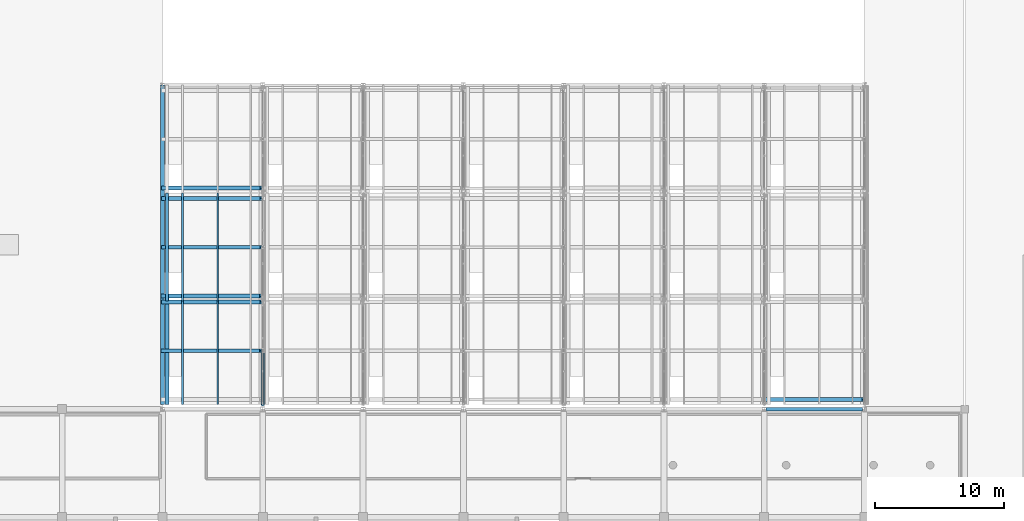
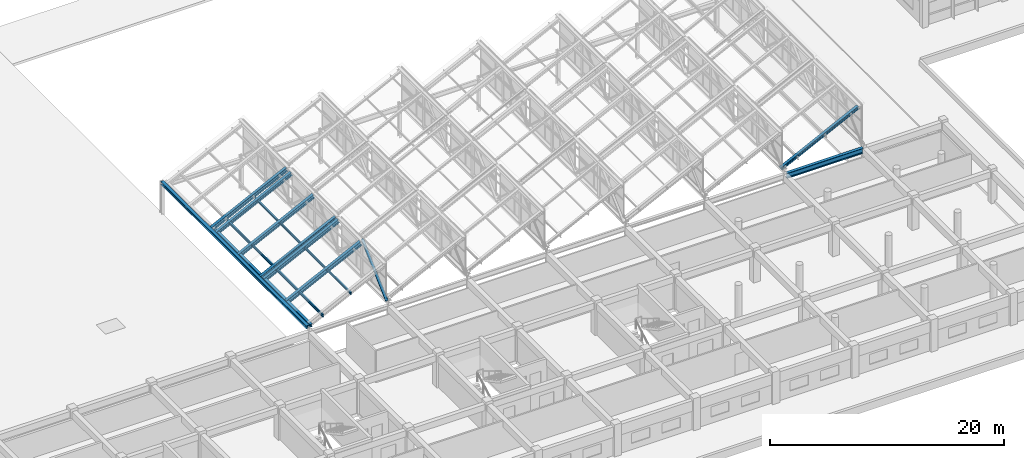
# One storey, part 15 of 101: 15 members, 1 beam.
"""IFC4 building model written with IfcOpenShell, lengths in metres."""

from ifc_helpers import new_model, si_unit, direction, frame, origin, origin_2d, place, context, subcontext, project, spatial, hollow_circle, i_section, extrude, material, material_profile, profile_set, type_object, element, save


model = new_model("IFC4")

# Units and contexts
model_context = context("Model", 3, precision=1e-05, world=origin(), true_north=direction((0.0, 1.0)))
body_context = subcontext(model_context, "Body", "Model", "MODEL_VIEW")
ifc_project = project(units=[si_unit("LENGTHUNIT", "METRE"), si_unit("AREAUNIT", "SQUARE_METRE"), si_unit("VOLUMEUNIT", "CUBIC_METRE"), si_unit("PLANEANGLEUNIT", "RADIAN"), si_unit("MASSUNIT", "GRAM", prefix="KILO")], contexts=[model_context])

# Site, building, storey
site_placement = place(None, origin())
site = spatial("IfcSite", under=ifc_project, at=site_placement, CompositionType="ELEMENT")
building_placement = place(site_placement, origin())
building = spatial("IfcBuilding", under=site, at=building_placement, Name="Zizhar Promenade General Hospital", CompositionType="ELEMENT")
storey_placement = place(building_placement, frame((0.0, 0.0, 14.39990234375)))
storey = spatial("IfcBuildingStorey", under=building, at=storey_placement, Name="L03", CompositionType="ELEMENT", Elevation=14.39990234375)

# Beam
ifc_material_1 = material(Name="Steel S355", Category="steel")
ifc_material_profile_1 = material_profile(ifc_material_1, i_section(OverallWidth=0.300048828125, OverallDepth=0.550048828125, WebThickness=0.014892578125, FlangeThickness=0.029052734375, FilletRadius=0.027099609375, at=origin_2d()))
ifc_profile_set_1 = profile_set([ifc_material_profile_1], Name="Steel S355")
beam_type = type_object("IfcBeamType", Name="BM-STL-HEB550", PredefinedType="BEAM", material=ifc_profile_set_1)
beam_placement = place(storey_placement, frame((117.14990234375, 25.199951171875, 3.03515625), z_axis=(1.0, 0.0, 0.0), x_axis=(0.0, 1.0, 0.0)))
element("IfcBeam", 1, at=beam_placement, inside=storey, type_object=beam_type, Name="Grid Beam X L03 (15-3)", PredefinedType="BEAM", context=body_context, shape_type="SweptSolid", body=[
    extrude(i_section(OverallWidth=0.300048828125, OverallDepth=0.550048828125, WebThickness=0.014892578125, FlangeThickness=0.029052734375, FilletRadius=0.027099609375, at=origin_2d()), origin(), (0.0, 0.0, 1.0), 7.5),
])

# Members
ifc_material_2 = material(Name="Steel S355", Category="steel")
ifc_material_profile_2 = material_profile(ifc_material_2, i_section(OverallWidth=0.260009765625, OverallDepth=0.260009765625, WebThickness=0.010009765625, FlangeThickness=0.017578125, FilletRadius=0.02392578125, at=origin_2d()))
ifc_profile_set_2 = profile_set([ifc_material_profile_2], Name="Steel S355")
member_type_1 = type_object("IfcMemberType", Name="MEM-CHORD-HEB260", PredefinedType="CHORD", material=ifc_profile_set_2)
member_1_placement = place(storey_placement, frame((70.550048828125, 33.60009765625, 3.47021484375), z_axis=(0.0, 1.0, 0.0), x_axis=(-1.0, 0.0, 0.0)))
element("IfcMember", 2, at=member_1_placement, inside=storey, type_object=member_type_1, Name="Sawtooth Bay 1 Valley Tie 2", PredefinedType="CHORD", context=body_context, shape_type="SweptSolid", body=[
    extrude(i_section(OverallWidth=0.260009765625, OverallDepth=0.260009765625, WebThickness=0.010009765625, FlangeThickness=0.017578125, FilletRadius=0.02392578125, at=origin_2d()), origin(), (0.0, 0.0, 1.0), 8.39990234375),
])
ifc_material_3 = material(Name="Steel S355", Category="steel")
ifc_material_profile_3 = material_profile(ifc_material_3, i_section(OverallWidth=0.280029296875, OverallDepth=0.280029296875, WebThickness=0.010498046875, FlangeThickness=0.01806640625, FilletRadius=0.02392578125, at=origin_2d()))
ifc_profile_set_3 = profile_set([ifc_material_profile_3], Name="Steel S355")
member_type_2 = type_object("IfcMemberType", Name="MEM-CHORD-HEB280", PredefinedType="CHORD", material=ifc_profile_set_3)
member_2_placement = place(storey_placement, frame((70.550048828125, 25.550048828125, 3.47021484375), z_axis=(0.0, 1.0, 0.0), x_axis=(-1.0, 0.0, 0.0)))
element("IfcMember", 3, at=member_2_placement, inside=storey, type_object=member_type_2, Name="Sawtooth Bay 1 Valley Tie 1", PredefinedType="CHORD", context=body_context, shape_type="SweptSolid", body=[
    extrude(i_section(OverallWidth=0.280029296875, OverallDepth=0.280029296875, WebThickness=0.010498046875, FlangeThickness=0.01806640625, FilletRadius=0.02392578125, at=origin_2d()), origin(), (0.0, 0.0, 1.0), 8.39990234375),
])
ifc_material_4 = material(Name="Steel S355", Category="steel")
ifc_material_profile_4 = material_profile(ifc_material_4, i_section(OverallWidth=0.300048828125, OverallDepth=0.300048828125, WebThickness=0.010986328125, FlangeThickness=0.01904296875, FilletRadius=0.027099609375, at=origin_2d()))
ifc_profile_set_4 = profile_set([ifc_material_profile_4], Name="Steel S355")
member_type_3 = type_object("IfcMemberType", Name="MEM-CHORD-HEB300", PredefinedType="CHORD", material=ifc_profile_set_4)
member_3_placement = place(storey_placement, frame((70.199951171875, 25.550048828125, 3.4501953125), z_axis=(0.0, 1.0, 0.0), x_axis=(-1.0, 0.0, 0.0)))
element("IfcMember", 4, at=member_3_placement, inside=storey, type_object=member_type_3, Name="Sawtooth Truss Frame 1 Bottom Chord", PredefinedType="CHORD", context=body_context, shape_type="SweptSolid", body=[
    extrude(i_section(OverallWidth=0.300048828125, OverallDepth=0.300048828125, WebThickness=0.010986328125, FlangeThickness=0.01904296875, FilletRadius=0.027099609375, at=origin_2d()), origin(), (0.0, 0.0, 1.0), 24.849853515625),
])
ifc_material_5 = material(Name="Steel S355", Category="steel")
ifc_material_profile_5 = material_profile(ifc_material_5, hollow_circle(Radius=0.136474609375, WallThickness=0.010009765625, at=origin_2d()))
ifc_profile_set_5 = profile_set([ifc_material_profile_5], Name="Steel S355")
member_type_4 = type_object("IfcMemberType", Name="MEM-DIAG-CHS273", PredefinedType="BRACE", material=ifc_profile_set_5)
member_4_placement = place(storey_placement, frame((78.0, 25.550048828125, 3.4501953125), z_axis=(0.0, 0.732798043082, 0.680446197767), x_axis=(-1.0, 0.0, 0.0)))
element("IfcMember", 5, at=member_4_placement, inside=storey, type_object=member_type_4, Name="Sawtooth Truss Frame 2 Diagonal A1", PredefinedType="BRACE", context=body_context, shape_type="SweptSolid", body=[
    extrude(hollow_circle(Radius=0.136474609375, WallThickness=0.010009765625, at=origin_2d()), origin(), (0.0, 0.0, 1.0), 5.7314453125),
])
ifc_material_6 = material(Name="Steel S355", Category="steel")
ifc_material_profile_6 = material_profile(ifc_material_6, i_section(OverallWidth=0.1201171875, OverallDepth=0.239990234375, WebThickness=0.006103515625, FlangeThickness=0.009765625, FilletRadius=0.014892578125, at=origin_2d()))
ifc_profile_set_6 = profile_set([ifc_material_profile_6], Name="Steel S355")
member_type_5 = type_object("IfcMemberType", Name="MEM-PURL-IPE240", PredefinedType="PURLIN", material=ifc_profile_set_6)
for number, where, z_axis, x_axis, name in (
    (6, (74.489990234375, 25.550048828125, 5.424560546875), (0.0, 1.0, 0.0), (-1.0, 0.0, 0.0), "Sawtooth Bay 1 Purlin 1-2"),
    (7, (74.489990234375, 33.60009765625, 5.424560546875), (0.0, 1.0, 0.0), (-1.0, 0.0, 0.0), "Sawtooth Bay 1 Purlin 2-2"),
):
    element("IfcMember", number, at=place(storey_placement, frame(where, z_axis=z_axis, x_axis=x_axis)), inside=storey, type_object=member_type_5, Name=name, PredefinedType="PURLIN", context=body_context, shape_type="SweptSolid", body=[
        extrude(i_section(OverallWidth=0.1201171875, OverallDepth=0.239990234375, WebThickness=0.006103515625, FlangeThickness=0.009765625, FilletRadius=0.014892578125, at=origin_2d()), origin(), (0.0, 0.0, 1.0), 8.39990234375),
    ])
ifc_material_7 = material(Name="Steel S355", Category="steel")
ifc_material_profile_7 = material_profile(ifc_material_7, i_section(OverallWidth=0.135009765625, OverallDepth=0.27001953125, WebThickness=0.006591796875, FlangeThickness=0.01025390625, FilletRadius=0.014892578125, at=origin_2d()))
ifc_profile_set_7 = profile_set([ifc_material_profile_7], Name="Steel S355")
member_type_6 = type_object("IfcMemberType", Name="MEM-PURL-IPE270", PredefinedType="PURLIN", material=ifc_profile_set_7)
for number, where, z_axis, x_axis, name in (
    (8, (71.760009765625, 25.550048828125, 4.06201171875), (0.0, 1.0, 0.0), (-1.0, 0.0, 0.0), "Sawtooth Bay 1 Purlin 1-1"),
    (9, (71.760009765625, 33.60009765625, 4.06201171875), (0.0, 1.0, 0.0), (-1.0, 0.0, 0.0), "Sawtooth Bay 1 Purlin 2-1"),
):
    element("IfcMember", number, at=place(storey_placement, frame(where, z_axis=z_axis, x_axis=x_axis)), inside=storey, type_object=member_type_6, Name=name, PredefinedType="PURLIN", context=body_context, shape_type="SweptSolid", body=[
        extrude(i_section(OverallWidth=0.135009765625, OverallDepth=0.27001953125, WebThickness=0.006591796875, FlangeThickness=0.01025390625, FilletRadius=0.014892578125, at=origin_2d()), origin(), (0.0, 0.0, 1.0), 8.39990234375),
    ])
ifc_material_8 = material(Name="Steel S355", Category="steel")
ifc_material_profile_8 = material_profile(ifc_material_8, i_section(OverallWidth=0.300048828125, OverallDepth=0.2900390625, WebThickness=0.008544921875, FlangeThickness=0.013916015625, FilletRadius=0.027099609375, at=origin_2d()))
ifc_profile_set_8 = profile_set([ifc_material_profile_8], Name="Steel S355")
member_type_7 = type_object("IfcMemberType", Name="MEM-RAFT-HEA300", PredefinedType="RAFTER", material=ifc_profile_set_8)
member_5_placement = place(storey_placement, frame((117.0, 25.949951171875, 3.33154296875), z_axis=(0.896716239757, 0.0, 0.442605902983), x_axis=(0.0, 1.0, 0.0)))
element("IfcMember", 10, at=member_5_placement, inside=storey, type_object=member_type_7, Name="Sawtooth Bay 7 Rafter 1-1", PredefinedType="RAFTER", context=body_context, shape_type="SweptSolid", body=[
    extrude(i_section(OverallWidth=0.300048828125, OverallDepth=0.2900390625, WebThickness=0.008544921875, FlangeThickness=0.013916015625, FilletRadius=0.027099609375, at=origin_2d()), origin(), (0.0, 0.0, 1.0), 8.531005859375),
])
ifc_material_9 = material(Name="Steel S355", Category="steel")
ifc_material_profile_9 = material_profile(ifc_material_9, i_section(OverallWidth=0.300048828125, OverallDepth=0.35009765625, WebThickness=0.010009765625, FlangeThickness=0.017578125, FilletRadius=0.027099609375, at=origin_2d()))
ifc_profile_set_9 = profile_set([ifc_material_profile_9], Name="Steel S355")
member_type_8 = type_object("IfcMemberType", Name="MEM-RAFT-HEA360", PredefinedType="RAFTER", material=ifc_profile_set_9)
member_6_placement = place(storey_placement, frame((70.199951171875, 41.60009765625, 3.298095703125), z_axis=(0.896721845806, 0.0, 0.442594544989), x_axis=(0.0, 1.0, 0.0)))
element("IfcMember", 11, at=member_6_placement, inside=storey, type_object=member_type_8, Name="Sawtooth Bay 1 Rafter 2-3", PredefinedType="RAFTER", context=body_context, shape_type="SweptSolid", body=[
    extrude(i_section(OverallWidth=0.300048828125, OverallDepth=0.35009765625, WebThickness=0.010009765625, FlangeThickness=0.017578125, FilletRadius=0.027099609375, at=origin_2d()), origin(), (0.0, 0.0, 1.0), 8.53125),
])
ifc_material_10 = material(Name="Steel S355", Category="steel")
ifc_material_profile_10 = material_profile(ifc_material_10, i_section(OverallWidth=0.300048828125, OverallDepth=0.389892578125, WebThickness=0.010986328125, FlangeThickness=0.01904296875, FilletRadius=0.027099609375, at=origin_2d()))
ifc_profile_set_10 = profile_set([ifc_material_profile_10], Name="Steel S355")
member_type_9 = type_object("IfcMemberType", Name="MEM-RAFT-HEA400", PredefinedType="RAFTER", material=ifc_profile_set_10)
for number, where, z_axis, x_axis, name in (
    (12, (70.199951171875, 33.550048828125, 3.27587890625), (0.896721845806, 0.0, 0.442594544989), (0.0, 1.0, 0.0), "Sawtooth Bay 1 Rafter 1-3"),
    (13, (70.199951171875, 37.800048828125, 3.27587890625), (0.896721845806, 0.0, 0.442594544989), (0.0, 1.0, 0.0), "Sawtooth Bay 1 Rafter 2-2"),
    (14, (70.199951171875, 42.39990234375, 3.27587890625), (0.896721845806, 0.0, 0.442594544989), (0.0, 1.0, 0.0), "Sawtooth Bay 1 Rafter 3-1"),
):
    element("IfcMember", number, at=place(storey_placement, frame(where, z_axis=z_axis, x_axis=x_axis)), inside=storey, type_object=member_type_9, Name=name, PredefinedType="RAFTER", context=body_context, shape_type="SweptSolid", body=[
        extrude(i_section(OverallWidth=0.300048828125, OverallDepth=0.389892578125, WebThickness=0.010986328125, FlangeThickness=0.01904296875, FilletRadius=0.027099609375, at=origin_2d()), origin(), (0.0, 0.0, 1.0), 8.53125),
    ])
ifc_material_11 = material(Name="Steel S355", Category="steel")
ifc_material_profile_11 = material_profile(ifc_material_11, i_section(OverallWidth=0.300048828125, OverallDepth=0.43994140625, WebThickness=0.011474609375, FlangeThickness=0.02099609375, FilletRadius=0.027099609375, at=origin_2d()))
ifc_profile_set_11 = profile_set([ifc_material_profile_11], Name="Steel S355")
member_type_10 = type_object("IfcMemberType", Name="MEM-RAFT-HEA450", PredefinedType="RAFTER", material=ifc_profile_set_11)
for number, where, z_axis, x_axis, name in (
    (15, (70.199951171875, 29.75, 3.247802734375), (0.896710487916, 0.0, 0.442617555979), (0.0, 1.0, 0.0), "Sawtooth Bay 1 Rafter 1-2"),
    (16, (70.199951171875, 34.0, 3.247802734375), (0.896710487916, 0.0, 0.442617555979), (0.0, 1.0, 0.0), "Sawtooth Bay 1 Rafter 2-1"),
):
    element("IfcMember", number, at=place(storey_placement, frame(where, z_axis=z_axis, x_axis=x_axis)), inside=storey, type_object=member_type_10, Name=name, PredefinedType="RAFTER", context=body_context, shape_type="SweptSolid", body=[
        extrude(i_section(OverallWidth=0.300048828125, OverallDepth=0.43994140625, WebThickness=0.011474609375, FlangeThickness=0.02099609375, FilletRadius=0.027099609375, at=origin_2d()), origin(), (0.0, 0.0, 1.0), 8.53125),
    ])

save(model, "model.ifc")
